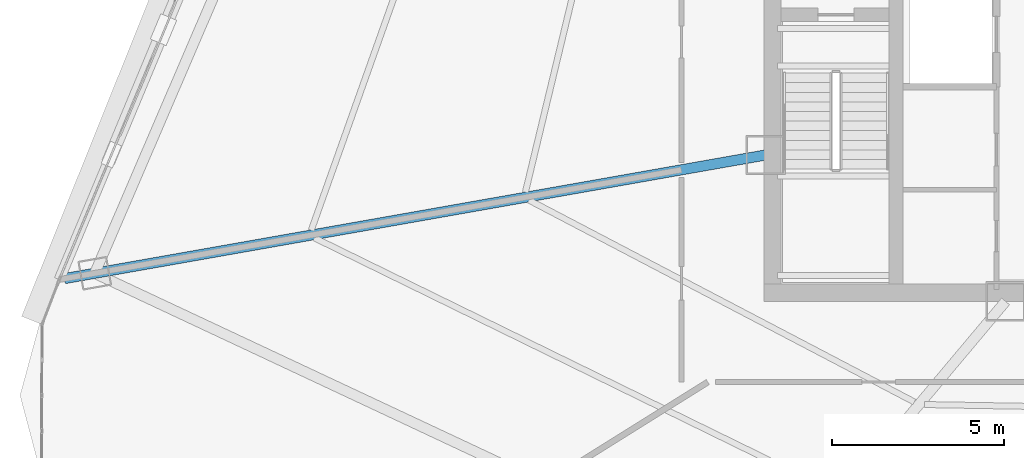
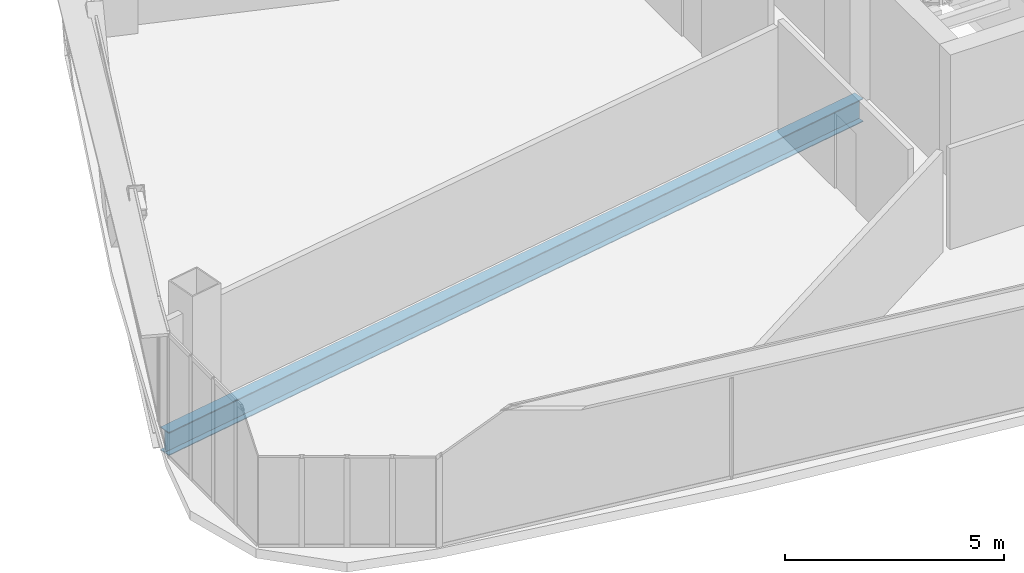
# One storey, part 5 of 36: 1 beam.
"""IFC4 building model written with IfcOpenShell, lengths in metres."""

from ifc_helpers import new_model, si_unit, direction, frame, origin, origin_2d, place, context, subcontext, project, spatial, i_section, extrude, source, transform, mapped, material, material_profile, profile_set, type_object, element, save


model = new_model("IFC4")

# Units and contexts
model_context = context("Model", 3, precision=1e-05, world=origin(), true_north=direction((0.0, 1.0)))
body_context = subcontext(model_context, "Body", "Model", "MODEL_VIEW")
ifc_project = project(units=[si_unit("LENGTHUNIT", "METRE"), si_unit("AREAUNIT", "SQUARE_METRE"), si_unit("VOLUMEUNIT", "CUBIC_METRE"), si_unit("PLANEANGLEUNIT", "RADIAN"), si_unit("MASSUNIT", "GRAM", prefix="KILO"), si_unit("THERMODYNAMICTEMPERATUREUNIT", "KELVIN"), si_unit("POWERUNIT", "WATT")], contexts=[model_context])

# Site, building, storey
site_placement = place(None, origin())
site = spatial("IfcSite", under=ifc_project, at=site_placement, CompositionType="ELEMENT")
building_placement = place(site_placement, origin())
building = spatial("IfcBuilding", under=site, at=building_placement, Name="Yunzhuo Pagoda Commons", CompositionType="ELEMENT")
storey_placement = place(building_placement, frame((0.0, 0.0, 263.179931640625)))
storey = spatial("IfcBuildingStorey", under=building, at=storey_placement, Name="L66", CompositionType="ELEMENT", Elevation=263.179931640625)

# Beam
ifc_material = material(Name="Structural steel Q355B", Category="steel")
ifc_material_profile = material_profile(ifc_material, i_section(OverallWidth=0.300048828125, OverallDepth=0.64990234375, WebThickness=0.012939453125, FlangeThickness=0.02197265625, at=origin_2d()), Name="Structural steel Q355B")
ifc_profile_set = profile_set([ifc_material_profile], Name="Structural steel Q355B")
beam_type = type_object("IfcBeamType", Name="B-RG2 Beam HN 650x300x13x22", PredefinedType="BEAM", material=ifc_profile_set)
shared_shape = source(origin(), body_context, "Body", "SweptSolid", [
    extrude(i_section(OverallWidth=0.300048828125, OverallDepth=0.64990234375, WebThickness=0.012939453125, FlangeThickness=0.02197265625, at=origin_2d()), origin(), (0.0, 0.0, 1.0), 20.73046875),
])
beam_placement = place(storey_placement, frame((15.1845703125, 27.913818359375, -0.5849609375), z_axis=(0.984809393914, 0.173638871396, 0.0), x_axis=(-0.173638871396, 0.984809393914, 0.0)))
element("IfcBeam", 1, at=beam_placement, inside=storey, type_object=beam_type, Name="L66 radial floor girder F3C4", PredefinedType="BEAM", context=body_context, shape_type="MappedRepresentation", body=[
    mapped(shared_shape, transform((0.0, 0.0, 0.0), scale=1.0)),
])

save(model, "model.ifc")
